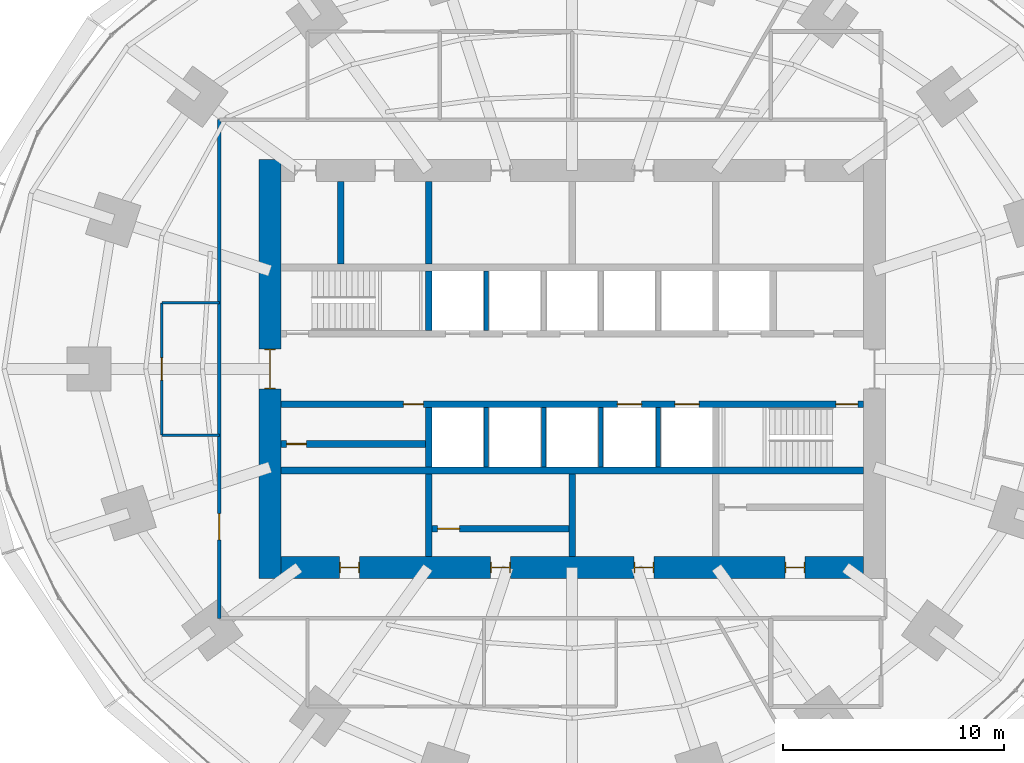
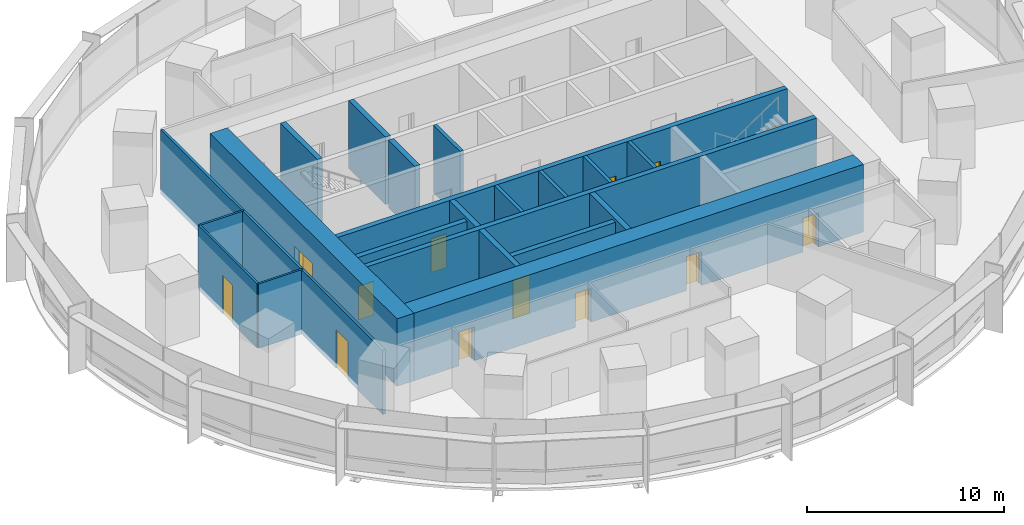
# One storey, part 11 of 15: 21 walls, 13 doors, 13 openings.
"""IFC4 building model written with IfcOpenShell, lengths in metres."""

from ifc_helpers import new_model, si_unit, direction, frame, frame_2d, origin, place, context, subcontext, project, spatial, rectangle, extrude, material, layer, layer_set, type_object, element, fill, save


model = new_model("IFC4")

# Units and contexts
model_context = context("Model", 3, precision=1e-05, world=origin(), true_north=direction((0.0, 1.0)))
body_context = subcontext(model_context, "Body", "Model", "MODEL_VIEW")
ifc_project = project(units=[si_unit("LENGTHUNIT", "METRE"), si_unit("AREAUNIT", "SQUARE_METRE"), si_unit("VOLUMEUNIT", "CUBIC_METRE"), si_unit("PLANEANGLEUNIT", "RADIAN"), si_unit("MASSUNIT", "GRAM", prefix="KILO")], contexts=[model_context])

# Site, building, storey
site_placement = place(None, origin())
site = spatial("IfcSite", under=ifc_project, at=site_placement, CompositionType="ELEMENT")
building_placement = place(site_placement, origin())
building = spatial("IfcBuilding", under=site, at=building_placement, Name="Marramba Exchange Tower", CompositionType="ELEMENT")
storey_placement = place(building_placement, frame((0.0, 0.0, 82.60009765625)))
storey = spatial("IfcBuildingStorey", under=building, at=storey_placement, Name="L19", CompositionType="ELEMENT", Elevation=82.60009765625)

# Walls
ifc_material_1 = material(Name="Concrete N50", Category="concrete")
ifc_layer_1 = layer(ifc_material_1, 0.199951171875)
ifc_layer_set_1 = layer_set([ifc_layer_1], Name="Core shaft wall 200")
wall_type_1 = type_object("IfcWallType", Name="Core shaft wall 200", PredefinedType="SHEAR", material=ifc_layer_set_1)
for number, where, z_axis, x_axis, name in (
    (1, (-3.89990234375, 1.75, 0.0), (0.0, 0.0, 1.0), (0.0, 1.0, 0.0), "Core wall SHN1 L19"),
    (2, (-3.89990234375, -1.75, 0.0), (0.0, 0.0, 1.0), (0.0, -1.0, 0.0), "Core wall SHS1 L19"),
    (3, (-1.300048828125, -1.75, 0.0), (0.0, 0.0, 1.0), (0.0, -1.0, 0.0), "Core wall SHS2 L19"),
    (4, (1.300048828125, -1.75, 0.0), (0.0, 0.0, 1.0), (0.0, -1.0, 0.0), "Core wall SHS3 L19"),
    (5, (3.89990234375, -1.75, 0.0), (0.0, 0.0, 1.0), (0.0, -1.0, 0.0), "Core wall SHS4 L19"),
):
    element("IfcWall", number, at=place(storey_placement, frame(where, z_axis=z_axis, x_axis=x_axis)), inside=storey, type_object=wall_type_1, Name=name, PredefinedType="SHEAR", context=body_context, shape_type="SweptSolid", body=[
        extrude(rectangle(XDim=2.699951171875, YDim=0.199951171875, at=frame_2d((1.35009765625, 0.0))), origin(), (0.0, 0.0, 1.0), 4.199951171875),
    ])

# Wall, openings, doors
ifc_layer_2 = layer(ifc_material_1, 1.0)
ifc_layer_set_2 = layer_set([ifc_layer_2], Name="Core wall 1000")
wall_type_2 = type_object("IfcWallType", Name="Core wall 1000", PredefinedType="SHEAR", material=ifc_layer_set_2)
wall_1_placement = place(storey_placement, frame((-13.199951171875, -9.0, 0.0), z_axis=(0.0, 0.0, 1.0), x_axis=(1.0, 0.0, 0.0)))
wall_1 = element("IfcWall", 6, at=wall_1_placement, inside=storey, type_object=wall_type_2, Name="Core wall S L19", PredefinedType="SHEAR", context=body_context, shape_type="SweptSolid", body=[
    extrude(rectangle(XDim=26.39990234375, YDim=1.0, at=frame_2d((13.199951171875, 0.0))), origin(), (0.0, 0.0, 1.0), 4.199951171875),
])
opening_1_placement = place(wall_1_placement, frame((2.64990234375, 0.0, 0.0)))
opening_1 = element("IfcOpeningElement", 7, at=opening_1_placement, cuts=wall_1, Name="Opening D5", PredefinedType="OPENING", context=body_context, shape_type="SweptSolid", body=[
    extrude(rectangle(XDim=0.89990234375, YDim=2.10009765625, at=frame_2d((0.449951171875, 1.050048828125))), frame((0.0, 0.510009765625, 0.0), z_axis=(0.0, -1.0, 0.0), x_axis=(1.0, 0.0, 0.0)), (0.0, 0.0, 1.0), 1.02001953125),
])
opening_2_placement = place(wall_1_placement, frame((9.5, 0.0, 0.0)))
opening_2 = element("IfcOpeningElement", 8, at=opening_2_placement, cuts=wall_1, Name="Opening D5", PredefinedType="OPENING", context=body_context, shape_type="SweptSolid", body=[
    extrude(rectangle(XDim=0.89990234375, YDim=2.10009765625, at=frame_2d((0.449951171875, 1.050048828125))), frame((0.0, 0.510009765625, 0.0), z_axis=(0.0, -1.0, 0.0), x_axis=(1.0, 0.0, 0.0)), (0.0, 0.0, 1.0), 1.02001953125),
])
opening_3_placement = place(wall_1_placement, frame((16.0, 0.0, 0.0)))
opening_3 = element("IfcOpeningElement", 9, at=opening_3_placement, cuts=wall_1, Name="Opening D5", PredefinedType="OPENING", context=body_context, shape_type="SweptSolid", body=[
    extrude(rectangle(XDim=0.89990234375, YDim=2.10009765625, at=frame_2d((0.449951171875, 1.050048828125))), frame((0.0, 0.510009765625, 0.0), z_axis=(0.0, -1.0, 0.0), x_axis=(1.0, 0.0, 0.0)), (0.0, 0.0, 1.0), 1.02001953125),
])
opening_4_placement = place(wall_1_placement, frame((22.85009765625, 0.0, 0.0)))
opening_4 = element("IfcOpeningElement", 10, at=opening_4_placement, cuts=wall_1, Name="Opening D5", PredefinedType="OPENING", context=body_context, shape_type="SweptSolid", body=[
    extrude(rectangle(XDim=0.89990234375, YDim=2.10009765625, at=frame_2d((0.449951171875, 1.050048828125))), frame((0.0, 0.510009765625, 0.0), z_axis=(0.0, -1.0, 0.0), x_axis=(1.0, 0.0, 0.0)), (0.0, 0.0, 1.0), 1.02001953125),
])
ifc_material_2 = material(Name="Steel-framed door", Category="steel")
door_type_1 = type_object("IfcDoorType", Name="Service door 900x2100", OperationType="SINGLE_SWING_LEFT", PredefinedType="DOOR", material=ifc_material_2)
door_1_placement = place(opening_1_placement, origin())
door_1 = element("IfcDoor", 11, at=door_1_placement, inside=storey, type_object=door_type_1, Name="D5 ahu L19", OperationType="SINGLE_SWING_LEFT", OverallHeight=2.10009765625, OverallWidth=0.89990234375, PredefinedType="DOOR", context=body_context, shape_type="SweptSolid", body=[
    extrude(rectangle(XDim=0.81982421875, YDim=2.06005859375, at=frame_2d((0.449951171875, 1.030029296875))), frame((0.0, 0.02490234375, 0.0), z_axis=(0.0, -1.0, 0.0), x_axis=(1.0, 0.0, 0.0)), (0.0, 0.0, 1.0), 0.050048828125),
    extrude(rectangle(XDim=0.04, YDim=2.10009765625, at=frame_2d((0.02001953125, 1.050048828125))), frame((0.0, 0.25, 0.0), z_axis=(0.0, -1.0, 0.0), x_axis=(1.0, 0.0, 0.0)), (0.0, 0.0, 1.0), 0.5),
    extrude(rectangle(XDim=0.04, YDim=2.10009765625, at=frame_2d((0.8798828125, 1.050048828125))), frame((0.0, 0.25, 0.0), z_axis=(0.0, -1.0, 0.0), x_axis=(1.0, 0.0, 0.0)), (0.0, 0.0, 1.0), 0.5),
    extrude(rectangle(XDim=0.81982421875, YDim=0.04, at=frame_2d((0.449951171875, 2.080078125))), frame((0.0, 0.25, 0.0), z_axis=(0.0, -1.0, 0.0), x_axis=(1.0, 0.0, 0.0)), (0.0, 0.0, 1.0), 0.5),
])
fill(opening_1, door_1)
door_2_placement = place(opening_2_placement, origin())
door_2 = element("IfcDoor", 12, at=door_2_placement, inside=storey, type_object=door_type_1, Name="D5 store L19", OperationType="SINGLE_SWING_RIGHT", OverallHeight=2.10009765625, OverallWidth=0.89990234375, PredefinedType="DOOR", context=body_context, shape_type="SweptSolid", body=[
    extrude(rectangle(XDim=0.81982421875, YDim=2.06005859375, at=frame_2d((0.449951171875, 1.030029296875))), frame((0.0, 0.02490234375, 0.0), z_axis=(0.0, -1.0, 0.0), x_axis=(1.0, 0.0, 0.0)), (0.0, 0.0, 1.0), 0.050048828125),
    extrude(rectangle(XDim=0.04, YDim=2.10009765625, at=frame_2d((0.02001953125, 1.050048828125))), frame((0.0, 0.25, 0.0), z_axis=(0.0, -1.0, 0.0), x_axis=(1.0, 0.0, 0.0)), (0.0, 0.0, 1.0), 0.5),
    extrude(rectangle(XDim=0.04, YDim=2.10009765625, at=frame_2d((0.8798828125, 1.050048828125))), frame((0.0, 0.25, 0.0), z_axis=(0.0, -1.0, 0.0), x_axis=(1.0, 0.0, 0.0)), (0.0, 0.0, 1.0), 0.5),
    extrude(rectangle(XDim=0.81982421875, YDim=0.04, at=frame_2d((0.449951171875, 2.080078125))), frame((0.0, 0.25, 0.0), z_axis=(0.0, -1.0, 0.0), x_axis=(1.0, 0.0, 0.0)), (0.0, 0.0, 1.0), 0.5),
])
fill(opening_2, door_2)
door_3_placement = place(opening_3_placement, origin())
door_3 = element("IfcDoor", 13, at=door_3_placement, inside=storey, type_object=door_type_1, Name="D5 switch L19", OperationType="SINGLE_SWING_RIGHT", OverallHeight=2.10009765625, OverallWidth=0.89990234375, PredefinedType="DOOR", context=body_context, shape_type="SweptSolid", body=[
    extrude(rectangle(XDim=0.81982421875, YDim=2.06005859375, at=frame_2d((0.449951171875, 1.030029296875))), frame((0.0, 0.02490234375, 0.0), z_axis=(0.0, -1.0, 0.0), x_axis=(1.0, 0.0, 0.0)), (0.0, 0.0, 1.0), 0.050048828125),
    extrude(rectangle(XDim=0.04, YDim=2.10009765625, at=frame_2d((0.02001953125, 1.050048828125))), frame((0.0, 0.25, 0.0), z_axis=(0.0, -1.0, 0.0), x_axis=(1.0, 0.0, 0.0)), (0.0, 0.0, 1.0), 0.5),
    extrude(rectangle(XDim=0.04, YDim=2.10009765625, at=frame_2d((0.8798828125, 1.050048828125))), frame((0.0, 0.25, 0.0), z_axis=(0.0, -1.0, 0.0), x_axis=(1.0, 0.0, 0.0)), (0.0, 0.0, 1.0), 0.5),
    extrude(rectangle(XDim=0.81982421875, YDim=0.04, at=frame_2d((0.449951171875, 2.080078125))), frame((0.0, 0.25, 0.0), z_axis=(0.0, -1.0, 0.0), x_axis=(1.0, 0.0, 0.0)), (0.0, 0.0, 1.0), 0.5),
])
fill(opening_3, door_3)
door_4_placement = place(opening_4_placement, origin())
door_4 = element("IfcDoor", 14, at=door_4_placement, inside=storey, type_object=door_type_1, Name="D5 cstore L19", OperationType="SINGLE_SWING_RIGHT", OverallHeight=2.10009765625, OverallWidth=0.89990234375, PredefinedType="DOOR", context=body_context, shape_type="SweptSolid", body=[
    extrude(rectangle(XDim=0.81982421875, YDim=2.06005859375, at=frame_2d((0.449951171875, 1.030029296875))), frame((0.0, 0.02490234375, 0.0), z_axis=(0.0, -1.0, 0.0), x_axis=(1.0, 0.0, 0.0)), (0.0, 0.0, 1.0), 0.050048828125),
    extrude(rectangle(XDim=0.04, YDim=2.10009765625, at=frame_2d((0.02001953125, 1.050048828125))), frame((0.0, 0.25, 0.0), z_axis=(0.0, -1.0, 0.0), x_axis=(1.0, 0.0, 0.0)), (0.0, 0.0, 1.0), 0.5),
    extrude(rectangle(XDim=0.04, YDim=2.10009765625, at=frame_2d((0.8798828125, 1.050048828125))), frame((0.0, 0.25, 0.0), z_axis=(0.0, -1.0, 0.0), x_axis=(1.0, 0.0, 0.0)), (0.0, 0.0, 1.0), 0.5),
    extrude(rectangle(XDim=0.81982421875, YDim=0.04, at=frame_2d((0.449951171875, 2.080078125))), frame((0.0, 0.25, 0.0), z_axis=(0.0, -1.0, 0.0), x_axis=(1.0, 0.0, 0.0)), (0.0, 0.0, 1.0), 0.5),
])
fill(opening_4, door_4)

# Wall, opening, door
wall_2_placement = place(storey_placement, frame((-13.699951171875, 9.5, 0.0), z_axis=(0.0, 0.0, 1.0), x_axis=(0.0, -1.0, 0.0)))
wall_2 = element("IfcWall", 15, at=wall_2_placement, inside=storey, type_object=wall_type_2, Name="Core wall W L19", PredefinedType="SHEAR", context=body_context, shape_type="SweptSolid", body=[
    extrude(rectangle(XDim=19.0, YDim=1.0, at=frame_2d((9.5, 0.0))), origin(), (0.0, 0.0, 1.0), 4.199951171875),
])
opening_5_placement = place(wall_2_placement, frame((8.60009765625, 0.0, 0.0)))
opening_5 = element("IfcOpeningElement", 16, at=opening_5_placement, cuts=wall_2, Name="Opening D1", PredefinedType="OPENING", context=body_context, shape_type="SweptSolid", body=[
    extrude(rectangle(XDim=1.800048828125, YDim=2.39990234375, at=frame_2d((0.89990234375, 1.199951171875))), frame((0.0, 0.510009765625, 0.0), z_axis=(0.0, -1.0, 0.0), x_axis=(1.0, 0.0, 0.0)), (0.0, 0.0, 1.0), 1.02001953125),
])
door_type_2 = type_object("IfcDoorType", Name="Lobby exit door 1800x2400", OperationType="DOUBLE_DOOR_SINGLE_SWING", PredefinedType="DOOR", material=ifc_material_2)
door_5_placement = place(opening_5_placement, origin())
door_5 = element("IfcDoor", 17, at=door_5_placement, inside=storey, type_object=door_type_2, Name="D1 lobby exit west L19", OperationType="DOUBLE_DOOR_SINGLE_SWING", OverallHeight=2.39990234375, OverallWidth=1.800048828125, PredefinedType="DOOR", context=body_context, shape_type="SweptSolid", body=[
    extrude(rectangle(XDim=1.719970703125, YDim=2.35986328125, at=frame_2d((0.89990234375, 1.179931640625))), frame((0.0, 0.02490234375, 0.0), z_axis=(0.0, -1.0, 0.0), x_axis=(1.0, 0.0, 0.0)), (0.0, 0.0, 1.0), 0.050048828125),
    extrude(rectangle(XDim=0.04, YDim=2.39990234375, at=frame_2d((0.02001953125, 1.199951171875))), frame((0.0, 0.25, 0.0), z_axis=(0.0, -1.0, 0.0), x_axis=(1.0, 0.0, 0.0)), (0.0, 0.0, 1.0), 0.5),
    extrude(rectangle(XDim=0.04, YDim=2.39990234375, at=frame_2d((1.780029296875, 1.199951171875))), frame((0.0, 0.25, 0.0), z_axis=(0.0, -1.0, 0.0), x_axis=(1.0, 0.0, 0.0)), (0.0, 0.0, 1.0), 0.5),
    extrude(rectangle(XDim=1.719970703125, YDim=0.04, at=frame_2d((0.89990234375, 2.3798828125))), frame((0.0, 0.25, 0.0), z_axis=(0.0, -1.0, 0.0), x_axis=(1.0, 0.0, 0.0)), (0.0, 0.0, 1.0), 0.5),
])
fill(opening_5, door_5)

# Wall, openings, doors
ifc_layer_3 = layer(ifc_material_1, 0.300048828125)
ifc_layer_set_3 = layer_set([ifc_layer_3], Name="Core wall 300")
wall_type_3 = type_object("IfcWallType", Name="Core wall 300", PredefinedType="SHEAR", material=ifc_layer_set_3)
wall_3_placement = place(storey_placement, frame((-13.199951171875, -1.60009765625, 0.0), z_axis=(0.0, 0.0, 1.0), x_axis=(1.0, 0.0, 0.0)))
wall_3 = element("IfcWall", 18, at=wall_3_placement, inside=storey, type_object=wall_type_3, Name="Core wall LS L19", PredefinedType="SHEAR", context=body_context, shape_type="SweptSolid", body=[
    extrude(rectangle(XDim=26.39990234375, YDim=0.300048828125, at=frame_2d((13.199951171875, 0.0))), origin(), (0.0, 0.0, 1.0), 4.199951171875),
])
opening_6_placement = place(wall_3_placement, frame((25.14990234375, 0.0, 0.0)))
opening_6 = element("IfcOpeningElement", 19, at=opening_6_placement, cuts=wall_3, Name="Opening D2", PredefinedType="OPENING", context=body_context, shape_type="SweptSolid", body=[
    extrude(rectangle(XDim=1.0, YDim=2.10009765625, at=frame_2d((0.5, 1.050048828125))), frame((0.0, 0.159912109375, 0.0), z_axis=(0.0, -1.0, 0.0), x_axis=(1.0, 0.0, 0.0)), (0.0, 0.0, 1.0), 0.320068359375),
])
opening_7_placement = place(wall_3_placement, frame((15.25, 0.0, 0.0)))
opening_7 = element("IfcOpeningElement", 20, at=opening_7_placement, cuts=wall_3, Name="Opening LD2", PredefinedType="OPENING", context=body_context, shape_type="SweptSolid", body=[
    extrude(rectangle(XDim=1.10009765625, YDim=2.300048828125, at=frame_2d((0.550048828125, 1.14990234375))), frame((0.0, 0.159912109375, 0.0), z_axis=(0.0, -1.0, 0.0), x_axis=(1.0, 0.0, 0.0)), (0.0, 0.0, 1.0), 0.320068359375),
])
opening_8_placement = place(wall_3_placement, frame((17.85009765625, 0.0, 0.0)))
opening_8 = element("IfcOpeningElement", 21, at=opening_8_placement, cuts=wall_3, Name="Opening LD2", PredefinedType="OPENING", context=body_context, shape_type="SweptSolid", body=[
    extrude(rectangle(XDim=1.10009765625, YDim=2.300048828125, at=frame_2d((0.550048828125, 1.14990234375))), frame((0.0, 0.159912109375, 0.0), z_axis=(0.0, -1.0, 0.0), x_axis=(1.0, 0.0, 0.0)), (0.0, 0.0, 1.0), 0.320068359375),
])
opening_9_placement = place(wall_3_placement, frame((5.550048828125, 0.0, 0.0)))
opening_9 = element("IfcOpeningElement", 22, at=opening_9_placement, cuts=wall_3, Name="Opening D5", PredefinedType="OPENING", context=body_context, shape_type="SweptSolid", body=[
    extrude(rectangle(XDim=0.89990234375, YDim=2.10009765625, at=frame_2d((0.449951171875, 1.050048828125))), frame((0.0, 0.159912109375, 0.0), z_axis=(0.0, -1.0, 0.0), x_axis=(1.0, 0.0, 0.0)), (0.0, 0.0, 1.0), 0.320068359375),
])
door_type_3 = type_object("IfcDoorType", Name="Emergency lift landing door 1100x2300", OperationType="SLIDING_TO_LEFT", PredefinedType="DOOR", material=ifc_material_2)
door_6_placement = place(opening_7_placement, frame((1.10009765625, 0.0, 0.0), z_axis=(0.0, 0.0, 1.0), x_axis=(-1.0, 0.0, 0.0)))
door_6 = element("IfcDoor", 23, at=door_6_placement, inside=storey, type_object=door_type_3, Name="FL1 landing door L19", OperationType="SLIDING_TO_RIGHT", OverallHeight=2.300048828125, OverallWidth=1.10009765625, PredefinedType="DOOR", context=body_context, shape_type="SweptSolid", body=[
    extrude(rectangle(XDim=1.10009765625, YDim=2.300048828125, at=frame_2d((0.550048828125, 1.14990234375))), frame((0.0, 0.025146484375, 0.0), z_axis=(0.0, -1.0, 0.0), x_axis=(1.0, 0.0, 0.0)), (0.0, 0.0, 1.0), 0.050048828125),
])
fill(opening_7, door_6)
door_7_placement = place(opening_8_placement, frame((1.10009765625, 0.0, 0.0), z_axis=(0.0, 0.0, 1.0), x_axis=(-1.0, 0.0, 0.0)))
door_7 = element("IfcDoor", 24, at=door_7_placement, inside=storey, type_object=door_type_3, Name="FL2 landing door L19", OperationType="SLIDING_TO_LEFT", OverallHeight=2.300048828125, OverallWidth=1.10009765625, PredefinedType="DOOR", context=body_context, shape_type="SweptSolid", body=[
    extrude(rectangle(XDim=1.10009765625, YDim=2.300048828125, at=frame_2d((0.550048828125, 1.14990234375))), frame((0.0, 0.025146484375, 0.0), z_axis=(0.0, -1.0, 0.0), x_axis=(1.0, 0.0, 0.0)), (0.0, 0.0, 1.0), 0.050048828125),
])
fill(opening_8, door_7)
door_8_placement = place(opening_9_placement, frame((0.89990234375, 0.0, 0.0), z_axis=(0.0, 0.0, 1.0), x_axis=(-1.0, 0.0, 0.0)))
door_8 = element("IfcDoor", 25, at=door_8_placement, inside=storey, type_object=door_type_1, Name="D5 electrical riser L19", OperationType="SINGLE_SWING_LEFT", OverallHeight=2.10009765625, OverallWidth=0.89990234375, PredefinedType="DOOR", context=body_context, shape_type="SweptSolid", body=[
    extrude(rectangle(XDim=0.89990234375, YDim=2.10009765625, at=frame_2d((0.449951171875, 1.050048828125))), frame((0.0, 0.025146484375, 0.0), z_axis=(0.0, -1.0, 0.0), x_axis=(1.0, 0.0, 0.0)), (0.0, 0.0, 1.0), 0.050048828125),
])
fill(opening_9, door_8)
door_type_4 = type_object("IfcDoorType", Name="Stair door 1000x2100", OperationType="SINGLE_SWING_LEFT", PredefinedType="DOOR", material=ifc_material_2)
door_9_placement = place(opening_6_placement, frame((1.0, 0.0, 0.0), z_axis=(0.0, 0.0, 1.0), x_axis=(-1.0, 0.0, 0.0)))
door_9 = element("IfcDoor", 26, at=door_9_placement, inside=storey, type_object=door_type_4, Name="D2 stair ST2 L19", OperationType="SINGLE_SWING_LEFT", OverallHeight=2.10009765625, OverallWidth=1.0, PredefinedType="DOOR", context=body_context, shape_type="SweptSolid", body=[
    extrude(rectangle(XDim=1.0, YDim=2.10009765625, at=frame_2d((0.5, 1.050048828125))), frame((0.0, 0.025146484375, 0.0), z_axis=(0.0, -1.0, 0.0), x_axis=(1.0, 0.0, 0.0)), (0.0, 0.0, 1.0), 0.050048828125),
])
fill(opening_6, door_9)

# Walls
wall_4_placement = place(storey_placement, frame((-13.199951171875, -4.60009765625, 0.0), z_axis=(0.0, 0.0, 1.0), x_axis=(1.0, 0.0, 0.0)))
element("IfcWall", 27, at=wall_4_placement, inside=storey, type_object=wall_type_3, Name="Core wall BS L19", PredefinedType="SHEAR", context=body_context, shape_type="SweptSolid", body=[
    extrude(rectangle(XDim=26.39990234375, YDim=0.300048828125, at=frame_2d((13.199951171875, 0.0))), origin(), (0.0, 0.0, 1.0), 4.199951171875),
])
wall_5_placement = place(storey_placement, frame((-6.5, 1.75, 0.0), z_axis=(0.0, 0.0, 1.0), x_axis=(0.0, 1.0, 0.0)))
element("IfcWall", 28, at=wall_5_placement, inside=storey, type_object=wall_type_3, Name="Core wall X0Na L19", PredefinedType="SHEAR", context=body_context, shape_type="SweptSolid", body=[
    extrude(rectangle(XDim=2.699951171875, YDim=0.300048828125, at=frame_2d((1.35009765625, 0.0))), origin(), (0.0, 0.0, 1.0), 4.199951171875),
])
wall_6_placement = place(storey_placement, frame((-6.5, 4.75, 0.0), z_axis=(0.0, 0.0, 1.0), x_axis=(0.0, 1.0, 0.0)))
element("IfcWall", 29, at=wall_6_placement, inside=storey, type_object=wall_type_3, Name="Core wall X0Nb L19", PredefinedType="SHEAR", context=body_context, shape_type="SweptSolid", body=[
    extrude(rectangle(XDim=3.75, YDim=0.300048828125, at=frame_2d((1.875, 0.0))), origin(), (0.0, 0.0, 1.0), 4.199951171875),
])
wall_7_placement = place(storey_placement, frame((-6.5, -1.75, 0.0), z_axis=(0.0, 0.0, 1.0), x_axis=(0.0, -1.0, 0.0)))
element("IfcWall", 30, at=wall_7_placement, inside=storey, type_object=wall_type_3, Name="Core wall X0Sa L19", PredefinedType="SHEAR", context=body_context, shape_type="SweptSolid", body=[
    extrude(rectangle(XDim=2.699951171875, YDim=0.300048828125, at=frame_2d((1.35009765625, 0.0))), origin(), (0.0, 0.0, 1.0), 4.199951171875),
])
for number, where, z_axis, x_axis, name in (
    (31, (-6.5, -4.75, 0.0), (0.0, 0.0, 1.0), (0.0, -1.0, 0.0), "Core wall X0Sb L19"),
    (32, (0.0, -4.75, 0.0), (0.0, 0.0, 1.0), (0.0, -1.0, 0.0), "Core wall MS L19"),
    (33, (-10.5, 4.75, 0.0), (0.0, 0.0, 1.0), (0.0, 1.0, 0.0), "Core wall WD L19"),
):
    element("IfcWall", number, at=place(storey_placement, frame(where, z_axis=z_axis, x_axis=x_axis)), inside=storey, type_object=wall_type_3, Name=name, PredefinedType="SHEAR", context=body_context, shape_type="SweptSolid", body=[
        extrude(rectangle(XDim=3.75, YDim=0.300048828125, at=frame_2d((1.875, 0.0))), origin(), (0.0, 0.0, 1.0), 4.199951171875),
    ])
ifc_material_3 = material(Name="Plasterboard on steel studs", Category="steel")
ifc_layer_4 = layer(ifc_material_3, 0.1201171875)
ifc_layer_set_4 = layer_set([ifc_layer_4], Name="Partition 120")
wall_type_4 = type_object("IfcWallType", Name="Partition 120", PredefinedType="PARTITIONING", material=ifc_layer_set_4)
for number, where, z_axis, x_axis, name in (
    (34, (-18.60009765625, -3.0, 0.0), (0.0, 0.0, 1.0), (1.0, 0.0, 0.0), "Partition L19 01"),
    (35, (-16.0, 3.0, 0.0), (0.0, 0.0, 1.0), (-1.0, 0.0, 0.0), "Partition L19 32"),
):
    element("IfcWall", number, at=place(storey_placement, frame(where, z_axis=z_axis, x_axis=x_axis)), inside=storey, type_object=wall_type_4, Name=name, PredefinedType="PARTITIONING", context=body_context, shape_type="SweptSolid", body=[
        extrude(rectangle(XDim=2.60009765625, YDim=0.1201171875, at=frame_2d((1.300048828125, 0.0))), origin(), (0.0, 0.0, 1.0), 4.0),
    ])

# Wall, opening, door
wall_8_placement = place(storey_placement, frame((-18.60009765625, 3.0, 0.0), z_axis=(0.0, 0.0, 1.0), x_axis=(0.0, -1.0, 0.0)))
wall_8 = element("IfcWall", 36, at=wall_8_placement, inside=storey, type_object=wall_type_4, Name="Partition L19 33", PredefinedType="PARTITIONING", context=body_context, shape_type="SweptSolid", body=[
    extrude(rectangle(XDim=6.0, YDim=0.1201171875, at=frame_2d((3.0, 0.0))), origin(), (0.0, 0.0, 1.0), 4.0),
])
opening_10_placement = place(wall_8_placement, frame((2.5, 0.0, 0.0)))
opening_10 = element("IfcOpeningElement", 37, at=opening_10_placement, cuts=wall_8, Name="Opening D9", PredefinedType="OPENING", context=body_context, shape_type="SweptSolid", body=[
    extrude(rectangle(XDim=1.0, YDim=2.39990234375, at=frame_2d((0.5, 1.199951171875))), frame((0.0, 0.070068359375, 0.0), z_axis=(0.0, -1.0, 0.0), x_axis=(1.0, 0.0, 0.0)), (0.0, 0.0, 1.0), 0.14013671875),
])
ifc_material_4 = material(Name="Timber door", Category="wood")
door_type_5 = type_object("IfcDoorType", Name="Room door 1000x2400", OperationType="SINGLE_SWING_LEFT", PredefinedType="DOOR", material=ifc_material_4)
door_10_placement = place(opening_10_placement, origin())
door_10 = element("IfcDoor", 38, at=door_10_placement, inside=storey, type_object=door_type_5, Name="D9 Print Room L19", OperationType="SINGLE_SWING_RIGHT", OverallHeight=2.39990234375, OverallWidth=1.0, PredefinedType="DOOR", context=body_context, shape_type="SweptSolid", body=[
    extrude(rectangle(XDim=1.0, YDim=2.39990234375, at=frame_2d((0.5, 1.199951171875))), frame((0.0, 0.02490234375, 0.0), z_axis=(0.0, -1.0, 0.0), x_axis=(1.0, 0.0, 0.0)), (0.0, 0.0, 1.0), 0.050048828125),
])
fill(opening_10, door_10)

ifc_material_5 = material(Name="Core-filled concrete blockwork", Category="masonry")
ifc_layer_5 = layer(ifc_material_5, 0.300048828125)
ifc_layer_set_5 = layer_set([ifc_layer_5], Name="Riser enclosure wall 300")
wall_type_5 = type_object("IfcWallType", Name="Riser enclosure wall 300", PredefinedType="SOLIDWALL", material=ifc_layer_set_5)
wall_9_placement = place(storey_placement, frame((-13.199951171875, -3.39990234375, 0.0), z_axis=(0.0, 0.0, 1.0), x_axis=(1.0, 0.0, 0.0)))
wall_9 = element("IfcWall", 39, at=wall_9_placement, inside=storey, type_object=wall_type_5, Name="Riser enclosure wall L19", PredefinedType="SOLIDWALL", context=body_context, shape_type="SweptSolid", body=[
    extrude(rectangle(XDim=6.550048828125, YDim=0.300048828125, at=frame_2d((3.27490234375, 0.0))), origin(), (0.0, 0.0, 1.0), 4.0),
])
opening_11_placement = place(wall_9_placement, frame((0.25, 0.0, 0.0)))
opening_11 = element("IfcOpeningElement", 40, at=opening_11_placement, cuts=wall_9, Name="Opening D5", PredefinedType="OPENING", context=body_context, shape_type="SweptSolid", body=[
    extrude(rectangle(XDim=0.89990234375, YDim=2.10009765625, at=frame_2d((0.449951171875, 1.050048828125))), frame((0.0, 0.159912109375, 0.0), z_axis=(0.0, -1.0, 0.0), x_axis=(1.0, 0.0, 0.0)), (0.0, 0.0, 1.0), 0.320068359375),
])
door_11_placement = place(opening_11_placement, frame((0.89990234375, 0.0, 0.0), z_axis=(0.0, 0.0, 1.0), x_axis=(-1.0, 0.0, 0.0)))
door_11 = element("IfcDoor", 41, at=door_11_placement, inside=storey, type_object=door_type_1, Name="D5 electrical riser back L19", OperationType="SINGLE_SWING_RIGHT", OverallHeight=2.10009765625, OverallWidth=0.89990234375, PredefinedType="DOOR", context=body_context, shape_type="SweptSolid", body=[
    extrude(rectangle(XDim=0.89990234375, YDim=2.10009765625, at=frame_2d((0.449951171875, 1.050048828125))), frame((0.0, 0.025146484375, 0.0), z_axis=(0.0, -1.0, 0.0), x_axis=(1.0, 0.0, 0.0)), (0.0, 0.0, 1.0), 0.050048828125),
])
fill(opening_11, door_11)

ifc_material_6 = material(Name="Plasterboard on steel studs, insulated, unrated", Category="steel")
ifc_layer_6 = layer(ifc_material_6, 0.300048828125)
ifc_layer_set_6 = layer_set([ifc_layer_6], Name="Store partition 300")
wall_type_6 = type_object("IfcWallType", Name="Store partition 300", PredefinedType="PARTITIONING", material=ifc_layer_set_6)
wall_10_placement = place(storey_placement, frame((-6.35009765625, -7.239990234375, 0.0), z_axis=(0.0, 0.0, 1.0), x_axis=(1.0, 0.0, 0.0)))
wall_10 = element("IfcWall", 42, at=wall_10_placement, inside=storey, type_object=wall_type_6, Name="Store partition L19 store", PredefinedType="PARTITIONING", context=body_context, shape_type="SweptSolid", body=[
    extrude(rectangle(XDim=6.2001953125, YDim=0.300048828125, at=frame_2d((3.10009765625, 0.0))), origin(), (0.0, 0.0, 1.0), 4.0),
])
opening_12_placement = place(wall_10_placement, frame((0.25, 0.0, 0.0)))
opening_12 = element("IfcOpeningElement", 43, at=opening_12_placement, cuts=wall_10, Name="Opening D9", PredefinedType="OPENING", context=body_context, shape_type="SweptSolid", body=[
    extrude(rectangle(XDim=1.0, YDim=2.39990234375, at=frame_2d((0.5, 1.199951171875))), frame((0.0, 0.159912109375, 0.0), z_axis=(0.0, -1.0, 0.0), x_axis=(1.0, 0.0, 0.0)), (0.0, 0.0, 1.0), 0.320068359375),
])
door_12_placement = place(opening_12_placement, frame((1.0, 0.0, 0.0), z_axis=(0.0, 0.0, 1.0), x_axis=(-1.0, 0.0, 0.0)))
door_12 = element("IfcDoor", 44, at=door_12_placement, inside=storey, type_object=door_type_5, Name="D9 stationery store L19", OperationType="SINGLE_SWING_RIGHT", OverallHeight=2.39990234375, OverallWidth=1.0, PredefinedType="DOOR", context=body_context, shape_type="SweptSolid", body=[
    extrude(rectangle(XDim=1.0, YDim=2.39990234375, at=frame_2d((0.5, 1.199951171875))), frame((0.0, 0.025146484375, 0.0), z_axis=(0.0, -1.0, 0.0), x_axis=(1.0, 0.0, 0.0)), (0.0, 0.0, 1.0), 0.050048828125),
])
fill(opening_12, door_12)

ifc_material_7 = material(Name="Fire-rated plasterboard on steel studs, acoustic insulation", Category="steel")
ifc_layer_7 = layer(ifc_material_7, 0.14990234375)
ifc_layer_set_7 = layer_set([ifc_layer_7], Name="Tenancy wall 150")
wall_type_7 = type_object("IfcWallType", Name="Tenancy wall 150", PredefinedType="PARTITIONING", material=ifc_layer_set_7)
wall_11_placement = place(storey_placement, frame((-16.0, 11.300048828125, 0.0), z_axis=(0.0, 0.0, 1.0), x_axis=(0.0, -1.0, 0.0)))
wall_11 = element("IfcWall", 45, at=wall_11_placement, inside=storey, type_object=wall_type_7, Name="Tenancy wall L19 34", PredefinedType="PARTITIONING", context=body_context, shape_type="SweptSolid", body=[
    extrude(rectangle(XDim=22.60009765625, YDim=0.14990234375, at=frame_2d((11.300048828125, 0.0))), origin(), (0.0, 0.0, 1.0), 4.0),
])
opening_13_placement = place(wall_11_placement, frame((17.85009765625, 0.0, 0.0)))
opening_13 = element("IfcOpeningElement", 46, at=opening_13_placement, cuts=wall_11, Name="Opening D13", PredefinedType="OPENING", context=body_context, shape_type="SweptSolid", body=[
    extrude(rectangle(XDim=1.199951171875, YDim=2.39990234375, at=frame_2d((0.60009765625, 1.199951171875))), frame((0.0, 0.0849609375, 0.0), z_axis=(0.0, -1.0, 0.0), x_axis=(1.0, 0.0, 0.0)), (0.0, 0.0, 1.0), 0.169921875),
])
door_type_6 = type_object("IfcDoorType", Name="Tenancy entry door 1200x2400", OperationType="SINGLE_SWING_LEFT", PredefinedType="DOOR", material=ifc_material_2)
door_13_placement = place(opening_13_placement, origin())
door_13 = element("IfcDoor", 47, at=door_13_placement, inside=storey, type_object=door_type_6, Name="D13 Office L19", OperationType="SINGLE_SWING_RIGHT", OverallHeight=2.39990234375, OverallWidth=1.199951171875, PredefinedType="DOOR", context=body_context, shape_type="SweptSolid", body=[
    extrude(rectangle(XDim=1.199951171875, YDim=2.39990234375, at=frame_2d((0.60009765625, 1.199951171875))), frame((0.0, 0.02490234375, 0.0), z_axis=(0.0, -1.0, 0.0), x_axis=(1.0, 0.0, 0.0)), (0.0, 0.0, 1.0), 0.050048828125),
])
fill(opening_13, door_13)

save(model, "model.ifc")
